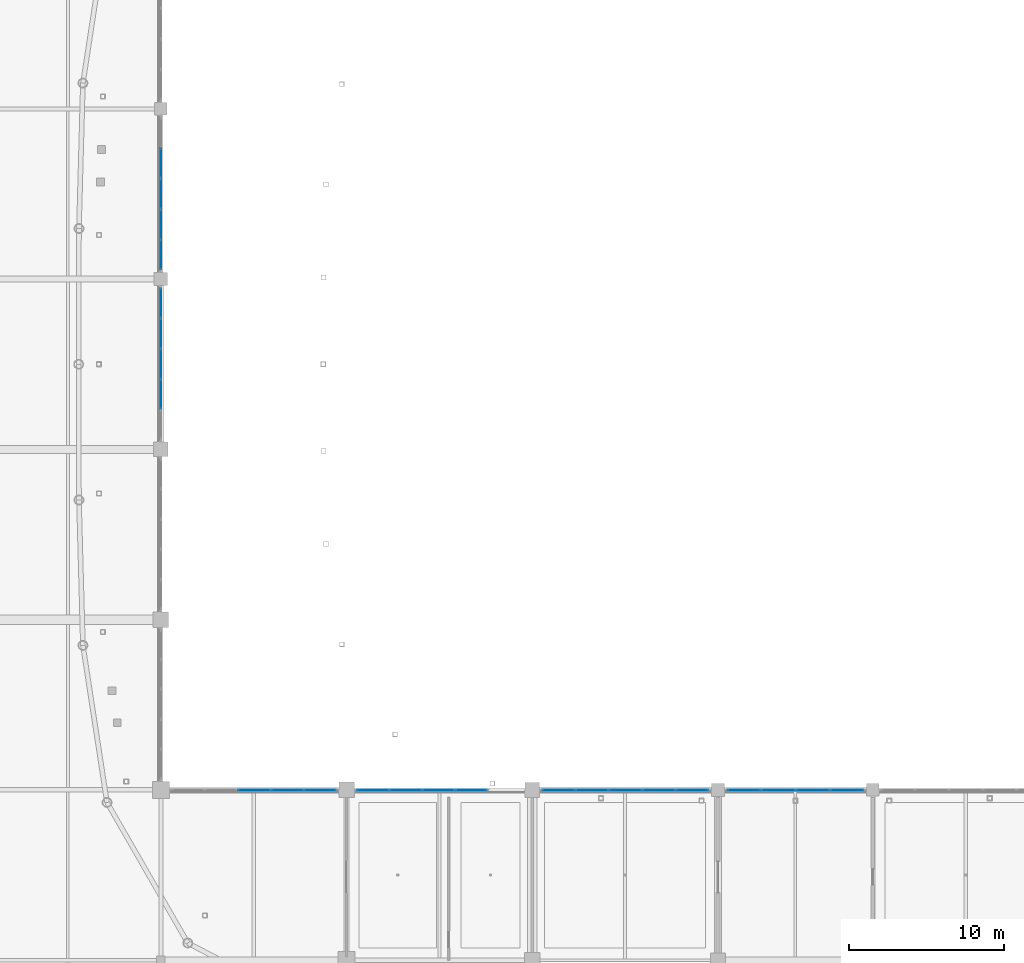
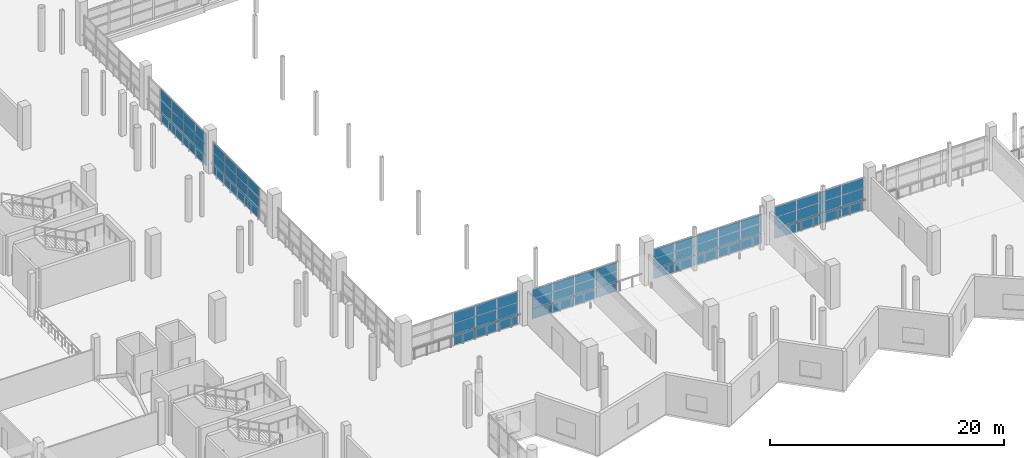
# One storey, part 67 of 118: 72 plates, 6 elements without a shape of their own.
"""IFC4 building model written with IfcOpenShell, lengths in metres."""

from ifc_helpers import new_model, si_unit, direction, frame, origin, origin_2d, place, context, subcontext, project, spatial, rectangle, extrude, material, layer, layer_set, type_object, element, aggregate, save


model = new_model("IFC4")

# Units and contexts
model_context = context("Model", 3, precision=1e-05, world=origin(), true_north=direction((0.0, 1.0)))
body_context = subcontext(model_context, "Body", "Model", "MODEL_VIEW")
ifc_project = project(units=[si_unit("LENGTHUNIT", "METRE"), si_unit("AREAUNIT", "SQUARE_METRE"), si_unit("VOLUMEUNIT", "CUBIC_METRE"), si_unit("PLANEANGLEUNIT", "RADIAN"), si_unit("MASSUNIT", "GRAM", prefix="KILO")], contexts=[model_context])

# Site, building, storey
site_placement = place(None, origin())
site = spatial("IfcSite", under=ifc_project, at=site_placement, CompositionType="ELEMENT")
building_placement = place(site_placement, origin())
building = spatial("IfcBuilding", under=site, at=building_placement, Name="Luwafu Chhajja Arena", CompositionType="ELEMENT")
storey_placement = place(building_placement, frame((0.0, 0.0, 10.199951171875)))
storey = spatial("IfcBuildingStorey", under=building, at=storey_placement, Name="L02", CompositionType="ELEMENT", Elevation=10.199951171875)

# Curtain wall, plates
ifc_material_1 = material(Name="Anodised bronze aluminium", Category="aluminium")
curtain_wall_type = type_object("IfcCurtainWallType", Name="Hospitality Ring Curtain Wall", PredefinedType="USERDEFINED", material=ifc_material_1)
curtain_wall_1_placement = place(storey_placement, origin())
curtain_wall_1 = element("IfcCurtainWall", 1, at=curtain_wall_1_placement, inside=storey, type_object=curtain_wall_type, Name="L02 Bowl Viewing Curtain Wall CWR-L02-01", ObjectType="CURTAIN WALL", PredefinedType="USERDEFINED")
ifc_material_2 = material(Name="Solar-control laminated glass", Category="glass")
ifc_layer = layer(ifc_material_2, 0.028076171875, Name="Solar-control laminated glass")
ifc_layer_set = layer_set([ifc_layer], Name="Solar-control laminated glass")
plate_type = type_object("IfcPlateType", Name="Solar Control Double Glazed CW Panel 28", PredefinedType="CURTAIN_PANEL", material=ifc_layer_set)
plate_1_placement = place(storey_placement, frame((64.02490234375, 22.0, 0.06494140625), z_axis=(0.0, 0.0, 1.0), x_axis=(1.0, 0.0, 0.0)))
plate_1 = element("IfcPlate", 2, at=plate_1_placement, type_object=plate_type, Name="CW-02 panel 3.1", PredefinedType="CURTAIN_PANEL", context=body_context, shape_type="SweptSolid", body=[
    extrude(rectangle(XDim=2.069091796875, YDim=0.028076171875, at=origin_2d()), origin(), (0.0, 0.0, 1.0), 1.052490234375),
])
plate_2_placement = place(storey_placement, frame((64.02490234375, 22.0, 1.1826171875), z_axis=(0.0, 0.0, 1.0), x_axis=(1.0, 0.0, 0.0)))
plate_2 = element("IfcPlate", 3, at=plate_2_placement, type_object=plate_type, Name="CW-02 panel 3.2", PredefinedType="CURTAIN_PANEL", context=body_context, shape_type="SweptSolid", body=[
    extrude(rectangle(XDim=2.069091796875, YDim=0.028076171875, at=origin_2d()), origin(), (0.0, 0.0, 1.0), 1.094970703125),
])
plate_3_placement = place(storey_placement, frame((64.02490234375, 22.0, 2.34228515625), z_axis=(0.0, 0.0, 1.0), x_axis=(1.0, 0.0, 0.0)))
plate_3 = element("IfcPlate", 4, at=plate_3_placement, type_object=plate_type, Name="CW-02 panel 3.3", PredefinedType="CURTAIN_PANEL", context=body_context, shape_type="SweptSolid", body=[
    extrude(rectangle(XDim=2.069091796875, YDim=0.028076171875, at=origin_2d()), origin(), (0.0, 0.0, 1.0), 1.0625),
])
plate_4_placement = place(storey_placement, frame((66.158935546875, 22.0, 0.06494140625), z_axis=(0.0, 0.0, 1.0), x_axis=(1.0, 0.0, 0.0)))
plate_4 = element("IfcPlate", 5, at=plate_4_placement, type_object=plate_type, Name="CW-02 panel 4.1", PredefinedType="CURTAIN_PANEL", context=body_context, shape_type="SweptSolid", body=[
    extrude(rectangle(XDim=2.069091796875, YDim=0.028076171875, at=origin_2d()), origin(), (0.0, 0.0, 1.0), 1.052490234375),
])
plate_5_placement = place(storey_placement, frame((66.158935546875, 22.0, 1.1826171875), z_axis=(0.0, 0.0, 1.0), x_axis=(1.0, 0.0, 0.0)))
plate_5 = element("IfcPlate", 6, at=plate_5_placement, type_object=plate_type, Name="CW-02 panel 4.2", PredefinedType="CURTAIN_PANEL", context=body_context, shape_type="SweptSolid", body=[
    extrude(rectangle(XDim=2.069091796875, YDim=0.028076171875, at=origin_2d()), origin(), (0.0, 0.0, 1.0), 1.094970703125),
])
plate_6_placement = place(storey_placement, frame((66.158935546875, 22.0, 2.34228515625), z_axis=(0.0, 0.0, 1.0), x_axis=(1.0, 0.0, 0.0)))
plate_6 = element("IfcPlate", 7, at=plate_6_placement, type_object=plate_type, Name="CW-02 panel 4.3", PredefinedType="CURTAIN_PANEL", context=body_context, shape_type="SweptSolid", body=[
    extrude(rectangle(XDim=2.069091796875, YDim=0.028076171875, at=origin_2d()), origin(), (0.0, 0.0, 1.0), 1.0625),
])
plate_7_placement = place(storey_placement, frame((68.27685546875, 22.0, 0.06494140625), z_axis=(0.0, 0.0, 1.0), x_axis=(1.0, 0.0, 0.0)))
plate_7 = element("IfcPlate", 8, at=plate_7_placement, type_object=plate_type, Name="CW-02 panel 5.1", PredefinedType="CURTAIN_PANEL", context=body_context, shape_type="SweptSolid", body=[
    extrude(rectangle(XDim=2.03662109375, YDim=0.028076171875, at=origin_2d()), origin(), (0.0, 0.0, 1.0), 1.052490234375),
])
plate_8_placement = place(storey_placement, frame((68.27685546875, 22.0, 1.1826171875), z_axis=(0.0, 0.0, 1.0), x_axis=(1.0, 0.0, 0.0)))
plate_8 = element("IfcPlate", 9, at=plate_8_placement, type_object=plate_type, Name="CW-02 panel 5.2", PredefinedType="CURTAIN_PANEL", context=body_context, shape_type="SweptSolid", body=[
    extrude(rectangle(XDim=2.03662109375, YDim=0.028076171875, at=origin_2d()), origin(), (0.0, 0.0, 1.0), 1.094970703125),
])
plate_9_placement = place(storey_placement, frame((68.27685546875, 22.0, 2.34228515625), z_axis=(0.0, 0.0, 1.0), x_axis=(1.0, 0.0, 0.0)))
plate_9 = element("IfcPlate", 10, at=plate_9_placement, type_object=plate_type, Name="CW-02 panel 5.3", PredefinedType="CURTAIN_PANEL", context=body_context, shape_type="SweptSolid", body=[
    extrude(rectangle(XDim=2.03662109375, YDim=0.028076171875, at=origin_2d()), origin(), (0.0, 0.0, 1.0), 1.0625),
])
aggregate(curtain_wall_1, [plate_1, plate_2, plate_3, plate_4, plate_5, plate_6, plate_7, plate_8, plate_9])

curtain_wall_2_placement = place(storey_placement, origin())
curtain_wall_2 = element("IfcCurtainWall", 11, at=curtain_wall_2_placement, inside=storey, type_object=curtain_wall_type, Name="L02 Bowl Viewing Curtain Wall CWR-L02-02", ObjectType="CURTAIN WALL", PredefinedType="USERDEFINED")
plate_10_placement = place(storey_placement, frame((71.718017578125, 22.0, 0.06494140625), z_axis=(0.0, 0.0, 1.0), x_axis=(1.0, 0.0, 0.0)))
plate_10 = element("IfcPlate", 12, at=plate_10_placement, type_object=plate_type, Name="CW-02 panel 1.1", PredefinedType="CURTAIN_PANEL", context=body_context, shape_type="SweptSolid", body=[
    extrude(rectangle(XDim=2.02587890625, YDim=0.028076171875, at=origin_2d()), origin(), (0.0, 0.0, 1.0), 1.052490234375),
])
plate_11_placement = place(storey_placement, frame((71.718017578125, 22.0, 1.1826171875), z_axis=(0.0, 0.0, 1.0), x_axis=(1.0, 0.0, 0.0)))
plate_11 = element("IfcPlate", 13, at=plate_11_placement, type_object=plate_type, Name="CW-02 panel 1.2", PredefinedType="CURTAIN_PANEL", context=body_context, shape_type="SweptSolid", body=[
    extrude(rectangle(XDim=2.02587890625, YDim=0.028076171875, at=origin_2d()), origin(), (0.0, 0.0, 1.0), 0.929931640625),
])
plate_12_placement = place(storey_placement, frame((71.718017578125, 22.0, 2.177490234375), z_axis=(0.0, 0.0, 1.0), x_axis=(1.0, 0.0, 0.0)))
plate_12 = element("IfcPlate", 14, at=plate_12_placement, type_object=plate_type, Name="CW-02 panel 1.3", PredefinedType="CURTAIN_PANEL", context=body_context, shape_type="SweptSolid", body=[
    extrude(rectangle(XDim=2.02587890625, YDim=0.028076171875, at=origin_2d()), origin(), (0.0, 0.0, 1.0), 0.8974609375),
])
plate_13_placement = place(storey_placement, frame((73.824951171875, 22.0, 0.06494140625), z_axis=(0.0, 0.0, 1.0), x_axis=(1.0, 0.0, 0.0)))
plate_13 = element("IfcPlate", 15, at=plate_13_placement, type_object=plate_type, Name="CW-02 panel 2.1", PredefinedType="CURTAIN_PANEL", context=body_context, shape_type="SweptSolid", body=[
    extrude(rectangle(XDim=2.058349609375, YDim=0.028076171875, at=origin_2d()), origin(), (0.0, 0.0, 1.0), 1.052490234375),
])
plate_14_placement = place(storey_placement, frame((73.824951171875, 22.0, 1.1826171875), z_axis=(0.0, 0.0, 1.0), x_axis=(1.0, 0.0, 0.0)))
plate_14 = element("IfcPlate", 16, at=plate_14_placement, type_object=plate_type, Name="CW-02 panel 2.2", PredefinedType="CURTAIN_PANEL", context=body_context, shape_type="SweptSolid", body=[
    extrude(rectangle(XDim=2.058349609375, YDim=0.028076171875, at=origin_2d()), origin(), (0.0, 0.0, 1.0), 0.929931640625),
])
plate_15_placement = place(storey_placement, frame((73.824951171875, 22.0, 2.177490234375), z_axis=(0.0, 0.0, 1.0), x_axis=(1.0, 0.0, 0.0)))
plate_15 = element("IfcPlate", 17, at=plate_15_placement, type_object=plate_type, Name="CW-02 panel 2.3", PredefinedType="CURTAIN_PANEL", context=body_context, shape_type="SweptSolid", body=[
    extrude(rectangle(XDim=2.058349609375, YDim=0.028076171875, at=origin_2d()), origin(), (0.0, 0.0, 1.0), 0.8974609375),
])
plate_16_placement = place(storey_placement, frame((75.948486328125, 22.0, 0.06494140625), z_axis=(0.0, 0.0, 1.0), x_axis=(1.0, 0.0, 0.0)))
plate_16 = element("IfcPlate", 18, at=plate_16_placement, type_object=plate_type, Name="CW-02 panel 3.1", PredefinedType="CURTAIN_PANEL", context=body_context, shape_type="SweptSolid", body=[
    extrude(rectangle(XDim=2.058349609375, YDim=0.028076171875, at=origin_2d()), origin(), (0.0, 0.0, 1.0), 1.052490234375),
])
plate_17_placement = place(storey_placement, frame((75.948486328125, 22.0, 1.1826171875), z_axis=(0.0, 0.0, 1.0), x_axis=(1.0, 0.0, 0.0)))
plate_17 = element("IfcPlate", 19, at=plate_17_placement, type_object=plate_type, Name="CW-02 panel 3.2", PredefinedType="CURTAIN_PANEL", context=body_context, shape_type="SweptSolid", body=[
    extrude(rectangle(XDim=2.058349609375, YDim=0.028076171875, at=origin_2d()), origin(), (0.0, 0.0, 1.0), 0.929931640625),
])
plate_18_placement = place(storey_placement, frame((75.948486328125, 22.0, 2.177490234375), z_axis=(0.0, 0.0, 1.0), x_axis=(1.0, 0.0, 0.0)))
plate_18 = element("IfcPlate", 20, at=plate_18_placement, type_object=plate_type, Name="CW-02 panel 3.3", PredefinedType="CURTAIN_PANEL", context=body_context, shape_type="SweptSolid", body=[
    extrude(rectangle(XDim=2.058349609375, YDim=0.028076171875, at=origin_2d()), origin(), (0.0, 0.0, 1.0), 0.8974609375),
])
plate_19_placement = place(storey_placement, frame((78.055419921875, 22.0, 0.06494140625), z_axis=(0.0, 0.0, 1.0), x_axis=(1.0, 0.0, 0.0)))
plate_19 = element("IfcPlate", 21, at=plate_19_placement, type_object=plate_type, Name="CW-02 panel 4.1", PredefinedType="CURTAIN_PANEL", context=body_context, shape_type="SweptSolid", body=[
    extrude(rectangle(XDim=2.02587890625, YDim=0.028076171875, at=origin_2d()), origin(), (0.0, 0.0, 1.0), 1.052490234375),
])
plate_20_placement = place(storey_placement, frame((78.055419921875, 22.0, 1.1826171875), z_axis=(0.0, 0.0, 1.0), x_axis=(1.0, 0.0, 0.0)))
plate_20 = element("IfcPlate", 22, at=plate_20_placement, type_object=plate_type, Name="CW-02 panel 4.2", PredefinedType="CURTAIN_PANEL", context=body_context, shape_type="SweptSolid", body=[
    extrude(rectangle(XDim=2.02587890625, YDim=0.028076171875, at=origin_2d()), origin(), (0.0, 0.0, 1.0), 0.929931640625),
])
plate_21_placement = place(storey_placement, frame((78.055419921875, 22.0, 2.177490234375), z_axis=(0.0, 0.0, 1.0), x_axis=(1.0, 0.0, 0.0)))
plate_21 = element("IfcPlate", 23, at=plate_21_placement, type_object=plate_type, Name="CW-02 panel 4.3", PredefinedType="CURTAIN_PANEL", context=body_context, shape_type="SweptSolid", body=[
    extrude(rectangle(XDim=2.02587890625, YDim=0.028076171875, at=origin_2d()), origin(), (0.0, 0.0, 1.0), 0.8974609375),
])
aggregate(curtain_wall_2, [plate_10, plate_11, plate_12, plate_13, plate_14, plate_15, plate_16, plate_17, plate_18, plate_19, plate_20, plate_21])

curtain_wall_3_placement = place(storey_placement, origin())
curtain_wall_3 = element("IfcCurtainWall", 24, at=curtain_wall_3_placement, inside=storey, type_object=curtain_wall_type, Name="L02 Bowl Viewing Curtain Wall CWR-L02-03", ObjectType="CURTAIN WALL", PredefinedType="USERDEFINED")
plate_22_placement = place(storey_placement, frame((83.713134765625, 22.0, 0.06494140625), z_axis=(0.0, 0.0, 1.0), x_axis=(1.0, 0.0, 0.0)))
plate_22 = element("IfcPlate", 25, at=plate_22_placement, type_object=plate_type, Name="CW-02 panel 1.1", PredefinedType="CURTAIN_PANEL", context=body_context, shape_type="SweptSolid", body=[
    extrude(rectangle(XDim=2.06640625, YDim=0.028076171875, at=origin_2d()), origin(), (0.0, 0.0, 1.0), 1.052490234375),
])
plate_23_placement = place(storey_placement, frame((83.713134765625, 22.0, 1.1826171875), z_axis=(0.0, 0.0, 1.0), x_axis=(1.0, 0.0, 0.0)))
plate_23 = element("IfcPlate", 26, at=plate_23_placement, type_object=plate_type, Name="CW-02 panel 1.2", PredefinedType="CURTAIN_PANEL", context=body_context, shape_type="SweptSolid", body=[
    extrude(rectangle(XDim=2.06640625, YDim=0.028076171875, at=origin_2d()), origin(), (0.0, 0.0, 1.0), 0.929931640625),
])
plate_24_placement = place(storey_placement, frame((83.713134765625, 22.0, 2.177490234375), z_axis=(0.0, 0.0, 1.0), x_axis=(1.0, 0.0, 0.0)))
plate_24 = element("IfcPlate", 27, at=plate_24_placement, type_object=plate_type, Name="CW-02 panel 1.3", PredefinedType="CURTAIN_PANEL", context=body_context, shape_type="SweptSolid", body=[
    extrude(rectangle(XDim=2.06640625, YDim=0.028076171875, at=origin_2d()), origin(), (0.0, 0.0, 1.0), 0.8974609375),
])
plate_25_placement = place(storey_placement, frame((85.861083984375, 22.0, 0.06494140625), z_axis=(0.0, 0.0, 1.0), x_axis=(1.0, 0.0, 0.0)))
plate_25 = element("IfcPlate", 28, at=plate_25_placement, type_object=plate_type, Name="CW-02 panel 2.1", PredefinedType="CURTAIN_PANEL", context=body_context, shape_type="SweptSolid", body=[
    extrude(rectangle(XDim=2.09912109375, YDim=0.028076171875, at=origin_2d()), origin(), (0.0, 0.0, 1.0), 1.052490234375),
])
plate_26_placement = place(storey_placement, frame((85.861083984375, 22.0, 1.1826171875), z_axis=(0.0, 0.0, 1.0), x_axis=(1.0, 0.0, 0.0)))
plate_26 = element("IfcPlate", 29, at=plate_26_placement, type_object=plate_type, Name="CW-02 panel 2.2", PredefinedType="CURTAIN_PANEL", context=body_context, shape_type="SweptSolid", body=[
    extrude(rectangle(XDim=2.09912109375, YDim=0.028076171875, at=origin_2d()), origin(), (0.0, 0.0, 1.0), 0.929931640625),
])
plate_27_placement = place(storey_placement, frame((85.861083984375, 22.0, 2.177490234375), z_axis=(0.0, 0.0, 1.0), x_axis=(1.0, 0.0, 0.0)))
plate_27 = element("IfcPlate", 30, at=plate_27_placement, type_object=plate_type, Name="CW-02 panel 2.3", PredefinedType="CURTAIN_PANEL", context=body_context, shape_type="SweptSolid", body=[
    extrude(rectangle(XDim=2.09912109375, YDim=0.028076171875, at=origin_2d()), origin(), (0.0, 0.0, 1.0), 0.8974609375),
])
plate_28_placement = place(storey_placement, frame((88.02490234375, 22.0, 0.06494140625), z_axis=(0.0, 0.0, 1.0), x_axis=(1.0, 0.0, 0.0)))
plate_28 = element("IfcPlate", 31, at=plate_28_placement, type_object=plate_type, Name="CW-02 panel 3.1", PredefinedType="CURTAIN_PANEL", context=body_context, shape_type="SweptSolid", body=[
    extrude(rectangle(XDim=2.09912109375, YDim=0.028076171875, at=origin_2d()), origin(), (0.0, 0.0, 1.0), 1.052490234375),
])
plate_29_placement = place(storey_placement, frame((88.02490234375, 22.0, 1.1826171875), z_axis=(0.0, 0.0, 1.0), x_axis=(1.0, 0.0, 0.0)))
plate_29 = element("IfcPlate", 32, at=plate_29_placement, type_object=plate_type, Name="CW-02 panel 3.2", PredefinedType="CURTAIN_PANEL", context=body_context, shape_type="SweptSolid", body=[
    extrude(rectangle(XDim=2.09912109375, YDim=0.028076171875, at=origin_2d()), origin(), (0.0, 0.0, 1.0), 0.929931640625),
])
plate_30_placement = place(storey_placement, frame((88.02490234375, 22.0, 2.177490234375), z_axis=(0.0, 0.0, 1.0), x_axis=(1.0, 0.0, 0.0)))
plate_30 = element("IfcPlate", 33, at=plate_30_placement, type_object=plate_type, Name="CW-02 panel 3.3", PredefinedType="CURTAIN_PANEL", context=body_context, shape_type="SweptSolid", body=[
    extrude(rectangle(XDim=2.09912109375, YDim=0.028076171875, at=origin_2d()), origin(), (0.0, 0.0, 1.0), 0.8974609375),
])
plate_31_placement = place(storey_placement, frame((90.18896484375, 22.0, 0.06494140625), z_axis=(0.0, 0.0, 1.0), x_axis=(1.0, 0.0, 0.0)))
plate_31 = element("IfcPlate", 34, at=plate_31_placement, type_object=plate_type, Name="CW-02 panel 4.1", PredefinedType="CURTAIN_PANEL", context=body_context, shape_type="SweptSolid", body=[
    extrude(rectangle(XDim=2.09912109375, YDim=0.028076171875, at=origin_2d()), origin(), (0.0, 0.0, 1.0), 1.052490234375),
])
plate_32_placement = place(storey_placement, frame((90.18896484375, 22.0, 1.1826171875), z_axis=(0.0, 0.0, 1.0), x_axis=(1.0, 0.0, 0.0)))
plate_32 = element("IfcPlate", 35, at=plate_32_placement, type_object=plate_type, Name="CW-02 panel 4.2", PredefinedType="CURTAIN_PANEL", context=body_context, shape_type="SweptSolid", body=[
    extrude(rectangle(XDim=2.09912109375, YDim=0.028076171875, at=origin_2d()), origin(), (0.0, 0.0, 1.0), 0.929931640625),
])
plate_33_placement = place(storey_placement, frame((90.18896484375, 22.0, 2.177490234375), z_axis=(0.0, 0.0, 1.0), x_axis=(1.0, 0.0, 0.0)))
plate_33 = element("IfcPlate", 36, at=plate_33_placement, type_object=plate_type, Name="CW-02 panel 4.3", PredefinedType="CURTAIN_PANEL", context=body_context, shape_type="SweptSolid", body=[
    extrude(rectangle(XDim=2.09912109375, YDim=0.028076171875, at=origin_2d()), origin(), (0.0, 0.0, 1.0), 0.8974609375),
])
plate_34_placement = place(storey_placement, frame((92.336669921875, 22.0, 0.06494140625), z_axis=(0.0, 0.0, 1.0), x_axis=(1.0, 0.0, 0.0)))
plate_34 = element("IfcPlate", 37, at=plate_34_placement, type_object=plate_type, Name="CW-02 panel 5.1", PredefinedType="CURTAIN_PANEL", context=body_context, shape_type="SweptSolid", body=[
    extrude(rectangle(XDim=2.06640625, YDim=0.028076171875, at=origin_2d()), origin(), (0.0, 0.0, 1.0), 1.052490234375),
])
plate_35_placement = place(storey_placement, frame((92.336669921875, 22.0, 1.1826171875), z_axis=(0.0, 0.0, 1.0), x_axis=(1.0, 0.0, 0.0)))
plate_35 = element("IfcPlate", 38, at=plate_35_placement, type_object=plate_type, Name="CW-02 panel 5.2", PredefinedType="CURTAIN_PANEL", context=body_context, shape_type="SweptSolid", body=[
    extrude(rectangle(XDim=2.06640625, YDim=0.028076171875, at=origin_2d()), origin(), (0.0, 0.0, 1.0), 0.929931640625),
])
plate_36_placement = place(storey_placement, frame((92.336669921875, 22.0, 2.177490234375), z_axis=(0.0, 0.0, 1.0), x_axis=(1.0, 0.0, 0.0)))
plate_36 = element("IfcPlate", 39, at=plate_36_placement, type_object=plate_type, Name="CW-02 panel 5.3", PredefinedType="CURTAIN_PANEL", context=body_context, shape_type="SweptSolid", body=[
    extrude(rectangle(XDim=2.06640625, YDim=0.028076171875, at=origin_2d()), origin(), (0.0, 0.0, 1.0), 0.8974609375),
])
aggregate(curtain_wall_3, [plate_22, plate_23, plate_24, plate_25, plate_26, plate_27, plate_28, plate_29, plate_30, plate_31, plate_32, plate_33, plate_34, plate_35, plate_36])

curtain_wall_4_placement = place(storey_placement, origin())
curtain_wall_4 = element("IfcCurtainWall", 40, at=curtain_wall_4_placement, inside=storey, type_object=curtain_wall_type, Name="L02 Bowl Viewing Curtain Wall CWR-L02-04", ObjectType="CURTAIN WALL", PredefinedType="USERDEFINED")
plate_37_placement = place(storey_placement, frame((95.693115234375, 22.0, 0.06494140625), z_axis=(0.0, 0.0, 1.0), x_axis=(1.0, 0.0, 0.0)))
plate_37 = element("IfcPlate", 41, at=plate_37_placement, type_object=plate_type, Name="CW-02 panel 1.1", PredefinedType="CURTAIN_PANEL", context=body_context, shape_type="SweptSolid", body=[
    extrude(rectangle(XDim=2.126220703125, YDim=0.028076171875, at=origin_2d()), origin(), (0.0, 0.0, 1.0), 1.052490234375),
])
plate_38_placement = place(storey_placement, frame((95.693115234375, 22.0, 1.1826171875), z_axis=(0.0, 0.0, 1.0), x_axis=(1.0, 0.0, 0.0)))
plate_38 = element("IfcPlate", 42, at=plate_38_placement, type_object=plate_type, Name="CW-02 panel 1.2", PredefinedType="CURTAIN_PANEL", context=body_context, shape_type="SweptSolid", body=[
    extrude(rectangle(XDim=2.126220703125, YDim=0.028076171875, at=origin_2d()), origin(), (0.0, 0.0, 1.0), 1.054931640625),
])
plate_39_placement = place(storey_placement, frame((95.693115234375, 22.0, 2.302490234375), z_axis=(0.0, 0.0, 1.0), x_axis=(1.0, 0.0, 0.0)))
plate_39 = element("IfcPlate", 43, at=plate_39_placement, type_object=plate_type, Name="CW-02 panel 1.3", PredefinedType="CURTAIN_PANEL", context=body_context, shape_type="SweptSolid", body=[
    extrude(rectangle(XDim=2.126220703125, YDim=0.028076171875, at=origin_2d()), origin(), (0.0, 0.0, 1.0), 1.0224609375),
])
plate_40_placement = place(storey_placement, frame((97.900634765625, 22.0, 0.06494140625), z_axis=(0.0, 0.0, 1.0), x_axis=(1.0, 0.0, 0.0)))
plate_40 = element("IfcPlate", 44, at=plate_40_placement, type_object=plate_type, Name="CW-02 panel 2.1", PredefinedType="CURTAIN_PANEL", context=body_context, shape_type="SweptSolid", body=[
    extrude(rectangle(XDim=2.15869140625, YDim=0.028076171875, at=origin_2d()), origin(), (0.0, 0.0, 1.0), 1.052490234375),
])
plate_41_placement = place(storey_placement, frame((97.900634765625, 22.0, 1.1826171875), z_axis=(0.0, 0.0, 1.0), x_axis=(1.0, 0.0, 0.0)))
plate_41 = element("IfcPlate", 45, at=plate_41_placement, type_object=plate_type, Name="CW-02 panel 2.2", PredefinedType="CURTAIN_PANEL", context=body_context, shape_type="SweptSolid", body=[
    extrude(rectangle(XDim=2.15869140625, YDim=0.028076171875, at=origin_2d()), origin(), (0.0, 0.0, 1.0), 1.054931640625),
])
plate_42_placement = place(storey_placement, frame((97.900634765625, 22.0, 2.302490234375), z_axis=(0.0, 0.0, 1.0), x_axis=(1.0, 0.0, 0.0)))
plate_42 = element("IfcPlate", 46, at=plate_42_placement, type_object=plate_type, Name="CW-02 panel 2.3", PredefinedType="CURTAIN_PANEL", context=body_context, shape_type="SweptSolid", body=[
    extrude(rectangle(XDim=2.15869140625, YDim=0.028076171875, at=origin_2d()), origin(), (0.0, 0.0, 1.0), 1.0224609375),
])
plate_43_placement = place(storey_placement, frame((100.124267578125, 22.0, 0.06494140625), z_axis=(0.0, 0.0, 1.0), x_axis=(1.0, 0.0, 0.0)))
plate_43 = element("IfcPlate", 47, at=plate_43_placement, type_object=plate_type, Name="CW-02 panel 3.1", PredefinedType="CURTAIN_PANEL", context=body_context, shape_type="SweptSolid", body=[
    extrude(rectangle(XDim=2.15869140625, YDim=0.028076171875, at=origin_2d()), origin(), (0.0, 0.0, 1.0), 1.052490234375),
])
plate_44_placement = place(storey_placement, frame((100.124267578125, 22.0, 1.1826171875), z_axis=(0.0, 0.0, 1.0), x_axis=(1.0, 0.0, 0.0)))
plate_44 = element("IfcPlate", 48, at=plate_44_placement, type_object=plate_type, Name="CW-02 panel 3.2", PredefinedType="CURTAIN_PANEL", context=body_context, shape_type="SweptSolid", body=[
    extrude(rectangle(XDim=2.15869140625, YDim=0.028076171875, at=origin_2d()), origin(), (0.0, 0.0, 1.0), 1.054931640625),
])
plate_45_placement = place(storey_placement, frame((100.124267578125, 22.0, 2.302490234375), z_axis=(0.0, 0.0, 1.0), x_axis=(1.0, 0.0, 0.0)))
plate_45 = element("IfcPlate", 49, at=plate_45_placement, type_object=plate_type, Name="CW-02 panel 3.3", PredefinedType="CURTAIN_PANEL", context=body_context, shape_type="SweptSolid", body=[
    extrude(rectangle(XDim=2.15869140625, YDim=0.028076171875, at=origin_2d()), origin(), (0.0, 0.0, 1.0), 1.0224609375),
])
plate_46_placement = place(storey_placement, frame((102.331787109375, 22.0, 0.06494140625), z_axis=(0.0, 0.0, 1.0), x_axis=(1.0, 0.0, 0.0)))
plate_46 = element("IfcPlate", 50, at=plate_46_placement, type_object=plate_type, Name="CW-02 panel 4.1", PredefinedType="CURTAIN_PANEL", context=body_context, shape_type="SweptSolid", body=[
    extrude(rectangle(XDim=2.126220703125, YDim=0.028076171875, at=origin_2d()), origin(), (0.0, 0.0, 1.0), 1.052490234375),
])
plate_47_placement = place(storey_placement, frame((102.331787109375, 22.0, 1.1826171875), z_axis=(0.0, 0.0, 1.0), x_axis=(1.0, 0.0, 0.0)))
plate_47 = element("IfcPlate", 51, at=plate_47_placement, type_object=plate_type, Name="CW-02 panel 4.2", PredefinedType="CURTAIN_PANEL", context=body_context, shape_type="SweptSolid", body=[
    extrude(rectangle(XDim=2.126220703125, YDim=0.028076171875, at=origin_2d()), origin(), (0.0, 0.0, 1.0), 1.054931640625),
])
plate_48_placement = place(storey_placement, frame((102.331787109375, 22.0, 2.302490234375), z_axis=(0.0, 0.0, 1.0), x_axis=(1.0, 0.0, 0.0)))
plate_48 = element("IfcPlate", 52, at=plate_48_placement, type_object=plate_type, Name="CW-02 panel 4.3", PredefinedType="CURTAIN_PANEL", context=body_context, shape_type="SweptSolid", body=[
    extrude(rectangle(XDim=2.126220703125, YDim=0.028076171875, at=origin_2d()), origin(), (0.0, 0.0, 1.0), 1.0224609375),
])
aggregate(curtain_wall_4, [plate_37, plate_38, plate_39, plate_40, plate_41, plate_42, plate_43, plate_44, plate_45, plate_46, plate_47, plate_48])

curtain_wall_5_placement = place(storey_placement, origin())
curtain_wall_5 = element("IfcCurtainWall", 53, at=curtain_wall_5_placement, inside=storey, type_object=curtain_wall_type, Name="L02 Bowl Viewing Curtain Wall CWR-L02-17", ObjectType="CURTAIN WALL", PredefinedType="USERDEFINED")
plate_49_placement = place(storey_placement, frame((58.0, 47.56103515625, 0.06494140625), z_axis=(0.0, 0.0, 1.0), x_axis=(0.0, 1.0, 0.0)))
plate_49 = element("IfcPlate", 54, at=plate_49_placement, type_object=plate_type, Name="CW-02 panel 2.1", PredefinedType="CURTAIN_PANEL", context=body_context, shape_type="SweptSolid", body=[
    extrude(rectangle(XDim=1.89892578125, YDim=0.028076171875, at=origin_2d()), origin(), (0.0, 0.0, 1.0), 1.052490234375),
])
plate_50_placement = place(storey_placement, frame((58.0, 47.56103515625, 1.1826171875), z_axis=(0.0, 0.0, 1.0), x_axis=(0.0, 1.0, 0.0)))
plate_50 = element("IfcPlate", 55, at=plate_50_placement, type_object=plate_type, Name="CW-02 panel 2.2", PredefinedType="CURTAIN_PANEL", context=body_context, shape_type="SweptSolid", body=[
    extrude(rectangle(XDim=1.89892578125, YDim=0.028076171875, at=origin_2d()), origin(), (0.0, 0.0, 1.0), 1.030029296875),
])
plate_51_placement = place(storey_placement, frame((58.0, 47.56103515625, 2.277587890625), z_axis=(0.0, 0.0, 1.0), x_axis=(0.0, 1.0, 0.0)))
plate_51 = element("IfcPlate", 56, at=plate_51_placement, type_object=plate_type, Name="CW-02 panel 2.3", PredefinedType="CURTAIN_PANEL", context=body_context, shape_type="SweptSolid", body=[
    extrude(rectangle(XDim=1.89892578125, YDim=0.028076171875, at=origin_2d()), origin(), (0.0, 0.0, 1.0), 0.99755859375),
])
plate_52_placement = place(storey_placement, frame((58.0, 49.52490234375, 0.06494140625), z_axis=(0.0, 0.0, 1.0), x_axis=(0.0, 1.0, 0.0)))
plate_52 = element("IfcPlate", 57, at=plate_52_placement, type_object=plate_type, Name="CW-02 panel 3.1", PredefinedType="CURTAIN_PANEL", context=body_context, shape_type="SweptSolid", body=[
    extrude(rectangle(XDim=1.89892578125, YDim=0.028076171875, at=origin_2d()), origin(), (0.0, 0.0, 1.0), 1.052490234375),
])
plate_53_placement = place(storey_placement, frame((58.0, 49.52490234375, 1.1826171875), z_axis=(0.0, 0.0, 1.0), x_axis=(0.0, 1.0, 0.0)))
plate_53 = element("IfcPlate", 58, at=plate_53_placement, type_object=plate_type, Name="CW-02 panel 3.2", PredefinedType="CURTAIN_PANEL", context=body_context, shape_type="SweptSolid", body=[
    extrude(rectangle(XDim=1.89892578125, YDim=0.028076171875, at=origin_2d()), origin(), (0.0, 0.0, 1.0), 1.030029296875),
])
plate_54_placement = place(storey_placement, frame((58.0, 49.52490234375, 2.277587890625), z_axis=(0.0, 0.0, 1.0), x_axis=(0.0, 1.0, 0.0)))
plate_54 = element("IfcPlate", 59, at=plate_54_placement, type_object=plate_type, Name="CW-02 panel 3.3", PredefinedType="CURTAIN_PANEL", context=body_context, shape_type="SweptSolid", body=[
    extrude(rectangle(XDim=1.89892578125, YDim=0.028076171875, at=origin_2d()), origin(), (0.0, 0.0, 1.0), 0.99755859375),
])
plate_55_placement = place(storey_placement, frame((58.0, 51.489013671875, 0.06494140625), z_axis=(0.0, 0.0, 1.0), x_axis=(0.0, 1.0, 0.0)))
plate_55 = element("IfcPlate", 60, at=plate_55_placement, type_object=plate_type, Name="CW-02 panel 4.1", PredefinedType="CURTAIN_PANEL", context=body_context, shape_type="SweptSolid", body=[
    extrude(rectangle(XDim=1.89892578125, YDim=0.028076171875, at=origin_2d()), origin(), (0.0, 0.0, 1.0), 1.052490234375),
])
plate_56_placement = place(storey_placement, frame((58.0, 51.489013671875, 1.1826171875), z_axis=(0.0, 0.0, 1.0), x_axis=(0.0, 1.0, 0.0)))
plate_56 = element("IfcPlate", 61, at=plate_56_placement, type_object=plate_type, Name="CW-02 panel 4.2", PredefinedType="CURTAIN_PANEL", context=body_context, shape_type="SweptSolid", body=[
    extrude(rectangle(XDim=1.89892578125, YDim=0.028076171875, at=origin_2d()), origin(), (0.0, 0.0, 1.0), 1.030029296875),
])
plate_57_placement = place(storey_placement, frame((58.0, 51.489013671875, 2.277587890625), z_axis=(0.0, 0.0, 1.0), x_axis=(0.0, 1.0, 0.0)))
plate_57 = element("IfcPlate", 62, at=plate_57_placement, type_object=plate_type, Name="CW-02 panel 4.3", PredefinedType="CURTAIN_PANEL", context=body_context, shape_type="SweptSolid", body=[
    extrude(rectangle(XDim=1.89892578125, YDim=0.028076171875, at=origin_2d()), origin(), (0.0, 0.0, 1.0), 0.99755859375),
])
plate_58_placement = place(storey_placement, frame((58.0, 53.436767578125, 0.06494140625), z_axis=(0.0, 0.0, 1.0), x_axis=(0.0, 1.0, 0.0)))
plate_58 = element("IfcPlate", 63, at=plate_58_placement, type_object=plate_type, Name="CW-02 panel 5.1", PredefinedType="CURTAIN_PANEL", context=body_context, shape_type="SweptSolid", body=[
    extrude(rectangle(XDim=1.866455078125, YDim=0.028076171875, at=origin_2d()), origin(), (0.0, 0.0, 1.0), 1.052490234375),
])
plate_59_placement = place(storey_placement, frame((58.0, 53.436767578125, 1.1826171875), z_axis=(0.0, 0.0, 1.0), x_axis=(0.0, 1.0, 0.0)))
plate_59 = element("IfcPlate", 64, at=plate_59_placement, type_object=plate_type, Name="CW-02 panel 5.2", PredefinedType="CURTAIN_PANEL", context=body_context, shape_type="SweptSolid", body=[
    extrude(rectangle(XDim=1.866455078125, YDim=0.028076171875, at=origin_2d()), origin(), (0.0, 0.0, 1.0), 1.030029296875),
])
plate_60_placement = place(storey_placement, frame((58.0, 53.436767578125, 2.277587890625), z_axis=(0.0, 0.0, 1.0), x_axis=(0.0, 1.0, 0.0)))
plate_60 = element("IfcPlate", 65, at=plate_60_placement, type_object=plate_type, Name="CW-02 panel 5.3", PredefinedType="CURTAIN_PANEL", context=body_context, shape_type="SweptSolid", body=[
    extrude(rectangle(XDim=1.866455078125, YDim=0.028076171875, at=origin_2d()), origin(), (0.0, 0.0, 1.0), 0.99755859375),
])
aggregate(curtain_wall_5, [plate_49, plate_50, plate_51, plate_52, plate_53, plate_54, plate_55, plate_56, plate_57, plate_58, plate_59, plate_60])

curtain_wall_6_placement = place(storey_placement, origin())
curtain_wall_6 = element("IfcCurtainWall", 66, at=curtain_wall_6_placement, inside=storey, type_object=curtain_wall_type, Name="L02 Bowl Viewing Curtain Wall CWR-L02-18", ObjectType="CURTAIN WALL", PredefinedType="USERDEFINED")
plate_61_placement = place(storey_placement, frame((58.0, 56.57080078125, 0.06494140625), z_axis=(0.0, 0.0, 1.0), x_axis=(0.0, 1.0, 0.0)))
plate_61 = element("IfcPlate", 67, at=plate_61_placement, type_object=plate_type, Name="CW-02 panel 1.1", PredefinedType="CURTAIN_PANEL", context=body_context, shape_type="SweptSolid", body=[
    extrude(rectangle(XDim=1.881591796875, YDim=0.028076171875, at=origin_2d()), origin(), (0.0, 0.0, 1.0), 1.052490234375),
])
plate_62_placement = place(storey_placement, frame((58.0, 56.57080078125, 1.1826171875), z_axis=(0.0, 0.0, 1.0), x_axis=(0.0, 1.0, 0.0)))
plate_62 = element("IfcPlate", 68, at=plate_62_placement, type_object=plate_type, Name="CW-02 panel 1.2", PredefinedType="CURTAIN_PANEL", context=body_context, shape_type="SweptSolid", body=[
    extrude(rectangle(XDim=1.881591796875, YDim=0.028076171875, at=origin_2d()), origin(), (0.0, 0.0, 1.0), 1.094970703125),
])
plate_63_placement = place(storey_placement, frame((58.0, 56.57080078125, 2.34228515625), z_axis=(0.0, 0.0, 1.0), x_axis=(0.0, 1.0, 0.0)))
plate_63 = element("IfcPlate", 69, at=plate_63_placement, type_object=plate_type, Name="CW-02 panel 1.3", PredefinedType="CURTAIN_PANEL", context=body_context, shape_type="SweptSolid", body=[
    extrude(rectangle(XDim=1.881591796875, YDim=0.028076171875, at=origin_2d()), origin(), (0.0, 0.0, 1.0), 1.0625),
])
plate_64_placement = place(storey_placement, frame((58.0, 58.533447265625, 0.06494140625), z_axis=(0.0, 0.0, 1.0), x_axis=(0.0, 1.0, 0.0)))
plate_64 = element("IfcPlate", 70, at=plate_64_placement, type_object=plate_type, Name="CW-02 panel 2.1", PredefinedType="CURTAIN_PANEL", context=body_context, shape_type="SweptSolid", body=[
    extrude(rectangle(XDim=1.9140625, YDim=0.028076171875, at=origin_2d()), origin(), (0.0, 0.0, 1.0), 1.052490234375),
])
plate_65_placement = place(storey_placement, frame((58.0, 58.533447265625, 1.1826171875), z_axis=(0.0, 0.0, 1.0), x_axis=(0.0, 1.0, 0.0)))
plate_65 = element("IfcPlate", 71, at=plate_65_placement, type_object=plate_type, Name="CW-02 panel 2.2", PredefinedType="CURTAIN_PANEL", context=body_context, shape_type="SweptSolid", body=[
    extrude(rectangle(XDim=1.9140625, YDim=0.028076171875, at=origin_2d()), origin(), (0.0, 0.0, 1.0), 1.094970703125),
])
plate_66_placement = place(storey_placement, frame((58.0, 58.533447265625, 2.34228515625), z_axis=(0.0, 0.0, 1.0), x_axis=(0.0, 1.0, 0.0)))
plate_66 = element("IfcPlate", 72, at=plate_66_placement, type_object=plate_type, Name="CW-02 panel 2.3", PredefinedType="CURTAIN_PANEL", context=body_context, shape_type="SweptSolid", body=[
    extrude(rectangle(XDim=1.9140625, YDim=0.028076171875, at=origin_2d()), origin(), (0.0, 0.0, 1.0), 1.0625),
])
plate_67_placement = place(storey_placement, frame((58.0, 60.512451171875, 0.06494140625), z_axis=(0.0, 0.0, 1.0), x_axis=(0.0, 1.0, 0.0)))
plate_67 = element("IfcPlate", 73, at=plate_67_placement, type_object=plate_type, Name="CW-02 panel 3.1", PredefinedType="CURTAIN_PANEL", context=body_context, shape_type="SweptSolid", body=[
    extrude(rectangle(XDim=1.9140625, YDim=0.028076171875, at=origin_2d()), origin(), (0.0, 0.0, 1.0), 1.052490234375),
])
plate_68_placement = place(storey_placement, frame((58.0, 60.512451171875, 1.1826171875), z_axis=(0.0, 0.0, 1.0), x_axis=(0.0, 1.0, 0.0)))
plate_68 = element("IfcPlate", 74, at=plate_68_placement, type_object=plate_type, Name="CW-02 panel 3.2", PredefinedType="CURTAIN_PANEL", context=body_context, shape_type="SweptSolid", body=[
    extrude(rectangle(XDim=1.9140625, YDim=0.028076171875, at=origin_2d()), origin(), (0.0, 0.0, 1.0), 1.094970703125),
])
plate_69_placement = place(storey_placement, frame((58.0, 60.512451171875, 2.34228515625), z_axis=(0.0, 0.0, 1.0), x_axis=(0.0, 1.0, 0.0)))
plate_69 = element("IfcPlate", 75, at=plate_69_placement, type_object=plate_type, Name="CW-02 panel 3.3", PredefinedType="CURTAIN_PANEL", context=body_context, shape_type="SweptSolid", body=[
    extrude(rectangle(XDim=1.9140625, YDim=0.028076171875, at=origin_2d()), origin(), (0.0, 0.0, 1.0), 1.0625),
])
plate_70_placement = place(storey_placement, frame((58.0, 62.491455078125, 0.06494140625), z_axis=(0.0, 0.0, 1.0), x_axis=(0.0, 1.0, 0.0)))
plate_70 = element("IfcPlate", 76, at=plate_70_placement, type_object=plate_type, Name="CW-02 panel 4.1", PredefinedType="CURTAIN_PANEL", context=body_context, shape_type="SweptSolid", body=[
    extrude(rectangle(XDim=1.9140625, YDim=0.028076171875, at=origin_2d()), origin(), (0.0, 0.0, 1.0), 1.052490234375),
])
plate_71_placement = place(storey_placement, frame((58.0, 62.491455078125, 1.1826171875), z_axis=(0.0, 0.0, 1.0), x_axis=(0.0, 1.0, 0.0)))
plate_71 = element("IfcPlate", 77, at=plate_71_placement, type_object=plate_type, Name="CW-02 panel 4.2", PredefinedType="CURTAIN_PANEL", context=body_context, shape_type="SweptSolid", body=[
    extrude(rectangle(XDim=1.9140625, YDim=0.028076171875, at=origin_2d()), origin(), (0.0, 0.0, 1.0), 1.094970703125),
])
plate_72_placement = place(storey_placement, frame((58.0, 62.491455078125, 2.34228515625), z_axis=(0.0, 0.0, 1.0), x_axis=(0.0, 1.0, 0.0)))
plate_72 = element("IfcPlate", 78, at=plate_72_placement, type_object=plate_type, Name="CW-02 panel 4.3", PredefinedType="CURTAIN_PANEL", context=body_context, shape_type="SweptSolid", body=[
    extrude(rectangle(XDim=1.9140625, YDim=0.028076171875, at=origin_2d()), origin(), (0.0, 0.0, 1.0), 1.0625),
])
aggregate(curtain_wall_6, [plate_61, plate_62, plate_63, plate_64, plate_65, plate_66, plate_67, plate_68, plate_69, plate_70, plate_71, plate_72])

save(model, "model.ifc")
